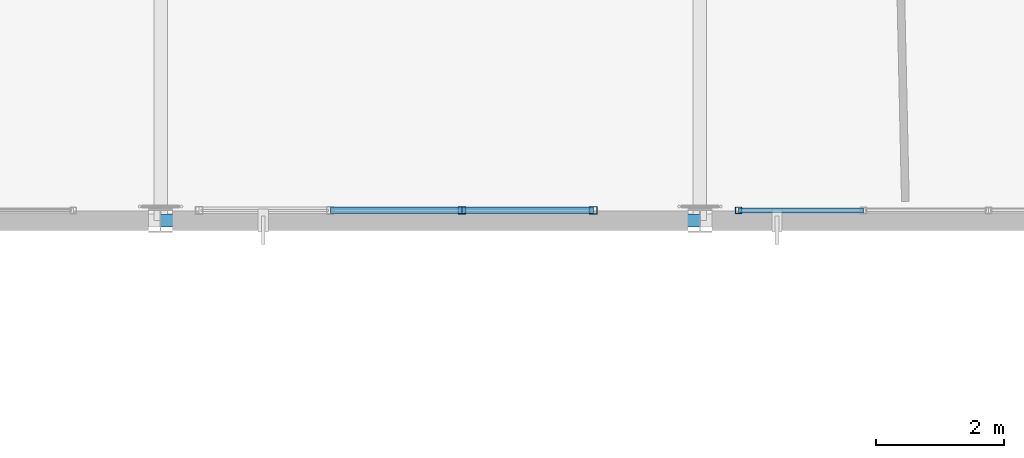
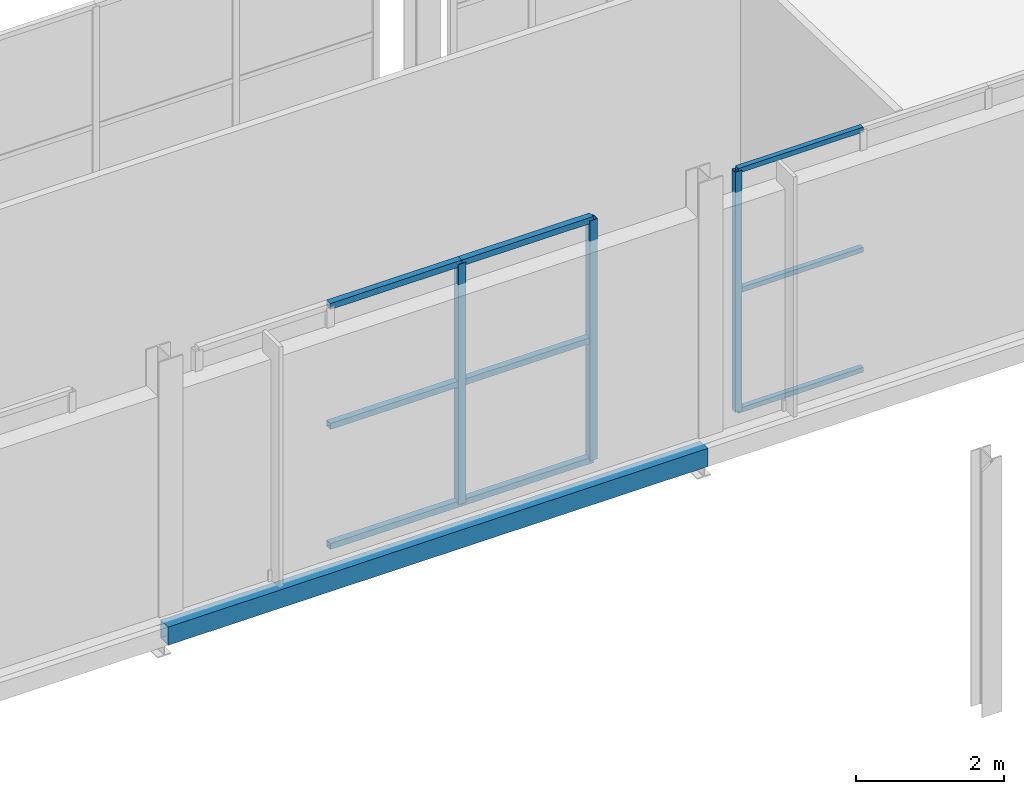
# One storey, part 136 of 217: 12 members, 1 beam, 2 elements without a shape of their own.
"""IFC4 building model written with IfcOpenShell, lengths in metres."""

from ifc_helpers import new_model, si_unit, direction, frame, origin, origin_2d, place, context, subcontext, project, spatial, hollow_rectangle, extrude, material, material_profile, profile_set, type_object, element, aggregate, save


model = new_model("IFC4")

# Units and contexts
model_context = context("Model", 3, precision=1e-05, world=origin(), true_north=direction((0.0, 1.0)))
body_context = subcontext(model_context, "Body", "Model", "MODEL_VIEW")
ifc_project = project(units=[si_unit("LENGTHUNIT", "METRE"), si_unit("AREAUNIT", "SQUARE_METRE"), si_unit("VOLUMEUNIT", "CUBIC_METRE"), si_unit("PLANEANGLEUNIT", "RADIAN"), si_unit("MASSUNIT", "GRAM", prefix="KILO")], contexts=[model_context])

# Site, building, storey
site_placement = place(None, origin())
site = spatial("IfcSite", under=ifc_project, at=site_placement, CompositionType="ELEMENT")
building_placement = place(site_placement, origin())
building = spatial("IfcBuilding", under=site, at=building_placement, Name="Zuvorla Pavilion Media Centre", CompositionType="ELEMENT")
storey_placement = place(building_placement, frame((0.0, 0.0, 9.60009765625)))
storey = spatial("IfcBuildingStorey", under=building, at=storey_placement, Name="L02", CompositionType="ELEMENT", Elevation=9.60009765625)

# Beam
ifc_material_1 = material(Name="Steel S355", Category="steel")
ifc_material_profile_1 = material_profile(ifc_material_1, hollow_rectangle(XDim=0.199951171875, YDim=0.300048828125, WallThickness=0.012451171875, at=origin_2d()), Name="RHS 300x200x12.5")
ifc_profile_set_1 = profile_set([ifc_material_profile_1], Name="Steel S355")
beam_type = type_object("IfcBeamType", Name="BM-SP-RHS300", PredefinedType="SPANDREL", material=ifc_profile_set_1)
beam_placement = place(storey_placement, frame((142.39990234375, 44.0, -0.418212890625), z_axis=(1.0, 0.0, 0.0), x_axis=(0.0, 1.0, 0.0)))
element("IfcBeam", 1, at=beam_placement, inside=storey, type_object=beam_type, Name="L02 spandrel SP01 833", PredefinedType="SPANDREL", context=body_context, shape_type="SweptSolid", body=[
    extrude(hollow_rectangle(XDim=0.199951171875, YDim=0.300048828125, WallThickness=0.012451171875, at=origin_2d()), origin(), (0.0, 0.0, 1.0), 8.400146484375),
])

# Curtain wall, member
ifc_material_2 = material(Name="Unitised anodised aluminium and solar glass curtain wall", Category="aluminium")
curtain_wall_type_1 = type_object("IfcCurtainWallType", Name="CW-SYS-27", PredefinedType="USERDEFINED", material=ifc_material_2)
curtain_wall_1_placement = place(storey_placement, origin())
curtain_wall_1 = element("IfcCurtainWall", 2, at=curtain_wall_1_placement, inside=storey, type_object=curtain_wall_type_1, Name="L02 curtain wall CW27 48", ObjectType="CURTAIN WALL", PredefinedType="USERDEFINED")
ifc_material_3 = material(Name="Anodised aluminium 6063-T6", Category="aluminium")
ifc_material_profile_2 = material_profile(ifc_material_3, hollow_rectangle(XDim=0.10009765625, YDim=0.10009765625, WallThickness=0.00439453125, at=origin_2d()), Name="ALU MULL 100x100")
ifc_profile_set_2 = profile_set([ifc_material_profile_2], Name="Anodised aluminium 6063-T6")
member_type_1 = type_object("IfcMemberType", Name="CW-MULL-100", PredefinedType="MULLION", material=ifc_profile_set_2)
member_1_placement = place(storey_placement, frame((151.400146484375, 44.159912109375, 0.0), z_axis=(0.0, 0.0, 1.0), x_axis=(1.0, 0.0, 0.0)))
member_1 = element("IfcMember", 3, at=member_1_placement, type_object=member_type_1, Name="CW27 mullion 1", PredefinedType="MULLION", context=body_context, shape_type="SweptSolid", body=[
    extrude(hollow_rectangle(XDim=0.10009765625, YDim=0.10009765625, WallThickness=0.00439453125, at=origin_2d()), origin(), (0.0, 0.0, 1.0), 3.949951171875),
])

# Curtain wall, members
curtain_wall_type_2 = type_object("IfcCurtainWallType", Name="CW-SYS-11", PredefinedType="USERDEFINED", material=ifc_material_2)
curtain_wall_2_placement = place(storey_placement, origin())
curtain_wall_2 = element("IfcCurtainWall", 4, at=curtain_wall_2_placement, inside=storey, type_object=curtain_wall_type_2, Name="L02 curtain wall CW11 47", ObjectType="CURTAIN WALL", PredefinedType="USERDEFINED")
ifc_material_profile_3 = material_profile(ifc_material_3, hollow_rectangle(XDim=0.1201171875, YDim=0.1201171875, WallThickness=0.0048828125, at=origin_2d()), Name="ALU MULL 120x120")
ifc_profile_set_3 = profile_set([ifc_material_profile_3], Name="Anodised aluminium 6063-T6")
member_type_2 = type_object("IfcMemberType", Name="CW-MULL-120", PredefinedType="MULLION", material=ifc_profile_set_3)
member_2_placement = place(storey_placement, frame((147.093505859375, 44.159912109375, 0.0), z_axis=(0.0, 0.0, 1.0), x_axis=(1.0, 0.0, 0.0)))
member_2 = element("IfcMember", 5, at=member_2_placement, type_object=member_type_2, Name="CW11 mullion 3", PredefinedType="MULLION", context=body_context, shape_type="SweptSolid", body=[
    extrude(hollow_rectangle(XDim=0.1201171875, YDim=0.1201171875, WallThickness=0.0048828125, at=origin_2d()), origin(), (0.0, 0.0, 1.0), 3.949951171875),
])
member_3_placement = place(storey_placement, frame((149.139892578125, 44.159912109375, 0.0), z_axis=(0.0, 0.0, 1.0), x_axis=(1.0, 0.0, 0.0)))
member_3 = element("IfcMember", 6, at=member_3_placement, type_object=member_type_2, Name="CW11 mullion 4", PredefinedType="MULLION", context=body_context, shape_type="SweptSolid", body=[
    extrude(hollow_rectangle(XDim=0.1201171875, YDim=0.1201171875, WallThickness=0.0048828125, at=origin_2d()), origin(), (0.0, 0.0, 1.0), 3.949951171875),
])
ifc_material_profile_4 = material_profile(ifc_material_3, hollow_rectangle(XDim=0.10009765625, YDim=0.10009765625, WallThickness=0.00439453125, at=origin_2d()), Name="ALU TRAN 100x100")
ifc_profile_set_4 = profile_set([ifc_material_profile_4], Name="Anodised aluminium 6063-T6")
member_type_3 = type_object("IfcMemberType", Name="CW-TRAN-100", PredefinedType="USERDEFINED", material=ifc_profile_set_4)
member_4_placement = place(storey_placement, frame((145.046875, 44.159912109375, 0.0), z_axis=(1.0, 0.0, 0.0), x_axis=(0.0, 1.0, 0.0)))
member_4 = element("IfcMember", 7, at=member_4_placement, type_object=member_type_3, Name="CW11 transom 2.1", ObjectType="TRANSOM", PredefinedType="USERDEFINED", context=body_context, shape_type="SweptSolid", body=[
    extrude(hollow_rectangle(XDim=0.10009765625, YDim=0.10009765625, WallThickness=0.00439453125, at=origin_2d()), origin(), (0.0, 0.0, 1.0), 2.046630859375),
])
member_5_placement = place(storey_placement, frame((145.046875, 44.159912109375, 1.974853515625), z_axis=(1.0, 0.0, 0.0), x_axis=(0.0, 1.0, 0.0)))
member_5 = element("IfcMember", 8, at=member_5_placement, type_object=member_type_3, Name="CW11 transom 2.2", ObjectType="TRANSOM", PredefinedType="USERDEFINED", context=body_context, shape_type="SweptSolid", body=[
    extrude(hollow_rectangle(XDim=0.10009765625, YDim=0.10009765625, WallThickness=0.00439453125, at=origin_2d()), origin(), (0.0, 0.0, 1.0), 2.046630859375),
])
member_6_placement = place(storey_placement, frame((145.046875, 44.159912109375, 3.949951171875), z_axis=(1.0, 0.0, 0.0), x_axis=(0.0, 1.0, 0.0)))
member_6 = element("IfcMember", 9, at=member_6_placement, type_object=member_type_3, Name="CW11 transom 2.3", ObjectType="TRANSOM", PredefinedType="USERDEFINED", context=body_context, shape_type="SweptSolid", body=[
    extrude(hollow_rectangle(XDim=0.10009765625, YDim=0.10009765625, WallThickness=0.00439453125, at=origin_2d()), origin(), (0.0, 0.0, 1.0), 2.046630859375),
])
member_7_placement = place(storey_placement, frame((147.093505859375, 44.159912109375, 0.0), z_axis=(1.0, 0.0, 0.0), x_axis=(0.0, 1.0, 0.0)))
member_7 = element("IfcMember", 10, at=member_7_placement, type_object=member_type_3, Name="CW11 transom 3.1", ObjectType="TRANSOM", PredefinedType="USERDEFINED", context=body_context, shape_type="SweptSolid", body=[
    extrude(hollow_rectangle(XDim=0.10009765625, YDim=0.10009765625, WallThickness=0.00439453125, at=origin_2d()), origin(), (0.0, 0.0, 1.0), 2.04638671875),
])
member_8_placement = place(storey_placement, frame((147.093505859375, 44.159912109375, 1.974853515625), z_axis=(1.0, 0.0, 0.0), x_axis=(0.0, 1.0, 0.0)))
member_8 = element("IfcMember", 11, at=member_8_placement, type_object=member_type_3, Name="CW11 transom 3.2", ObjectType="TRANSOM", PredefinedType="USERDEFINED", context=body_context, shape_type="SweptSolid", body=[
    extrude(hollow_rectangle(XDim=0.10009765625, YDim=0.10009765625, WallThickness=0.00439453125, at=origin_2d()), origin(), (0.0, 0.0, 1.0), 2.04638671875),
])
member_9_placement = place(storey_placement, frame((147.093505859375, 44.159912109375, 3.949951171875), z_axis=(1.0, 0.0, 0.0), x_axis=(0.0, 1.0, 0.0)))
member_9 = element("IfcMember", 12, at=member_9_placement, type_object=member_type_3, Name="CW11 transom 3.3", ObjectType="TRANSOM", PredefinedType="USERDEFINED", context=body_context, shape_type="SweptSolid", body=[
    extrude(hollow_rectangle(XDim=0.10009765625, YDim=0.10009765625, WallThickness=0.00439453125, at=origin_2d()), origin(), (0.0, 0.0, 1.0), 2.04638671875),
])
aggregate(curtain_wall_2, [member_2, member_3, member_4, member_5, member_6, member_7, member_8, member_9])

# Member
ifc_material_profile_5 = material_profile(ifc_material_3, hollow_rectangle(XDim=0.080078125, YDim=0.080078125, WallThickness=0.00390625, at=origin_2d()), Name="ALU TRAN 80x80")
ifc_profile_set_5 = profile_set([ifc_material_profile_5], Name="Anodised aluminium 6063-T6")
member_type_4 = type_object("IfcMemberType", Name="CW-TRAN-80", PredefinedType="USERDEFINED", material=ifc_profile_set_5)
member_10_placement = place(storey_placement, frame((151.400146484375, 44.159912109375, 0.0), z_axis=(1.0, 0.0, 0.0), x_axis=(0.0, 1.0, 0.0)))
member_10 = element("IfcMember", 13, at=member_10_placement, type_object=member_type_4, Name="CW27 transom 1.1", ObjectType="TRANSOM", PredefinedType="USERDEFINED", context=body_context, shape_type="SweptSolid", body=[
    extrude(hollow_rectangle(XDim=0.080078125, YDim=0.080078125, WallThickness=0.00390625, at=origin_2d()), origin(), (0.0, 0.0, 1.0), 1.946533203125),
])

member_11_placement = place(storey_placement, frame((151.400146484375, 44.159912109375, 1.974853515625), z_axis=(1.0, 0.0, 0.0), x_axis=(0.0, 1.0, 0.0)))
member_11 = element("IfcMember", 14, at=member_11_placement, type_object=member_type_4, Name="CW27 transom 1.2", ObjectType="TRANSOM", PredefinedType="USERDEFINED", context=body_context, shape_type="SweptSolid", body=[
    extrude(hollow_rectangle(XDim=0.080078125, YDim=0.080078125, WallThickness=0.00390625, at=origin_2d()), origin(), (0.0, 0.0, 1.0), 1.946533203125),
])

member_12_placement = place(storey_placement, frame((151.400146484375, 44.159912109375, 3.949951171875), z_axis=(1.0, 0.0, 0.0), x_axis=(0.0, 1.0, 0.0)))
member_12 = element("IfcMember", 15, at=member_12_placement, type_object=member_type_4, Name="CW27 transom 1.3", ObjectType="TRANSOM", PredefinedType="USERDEFINED", context=body_context, shape_type="SweptSolid", body=[
    extrude(hollow_rectangle(XDim=0.080078125, YDim=0.080078125, WallThickness=0.00390625, at=origin_2d()), origin(), (0.0, 0.0, 1.0), 1.946533203125),
])

aggregate(curtain_wall_1, [member_1, member_10, member_11, member_12])

save(model, "model.ifc")
